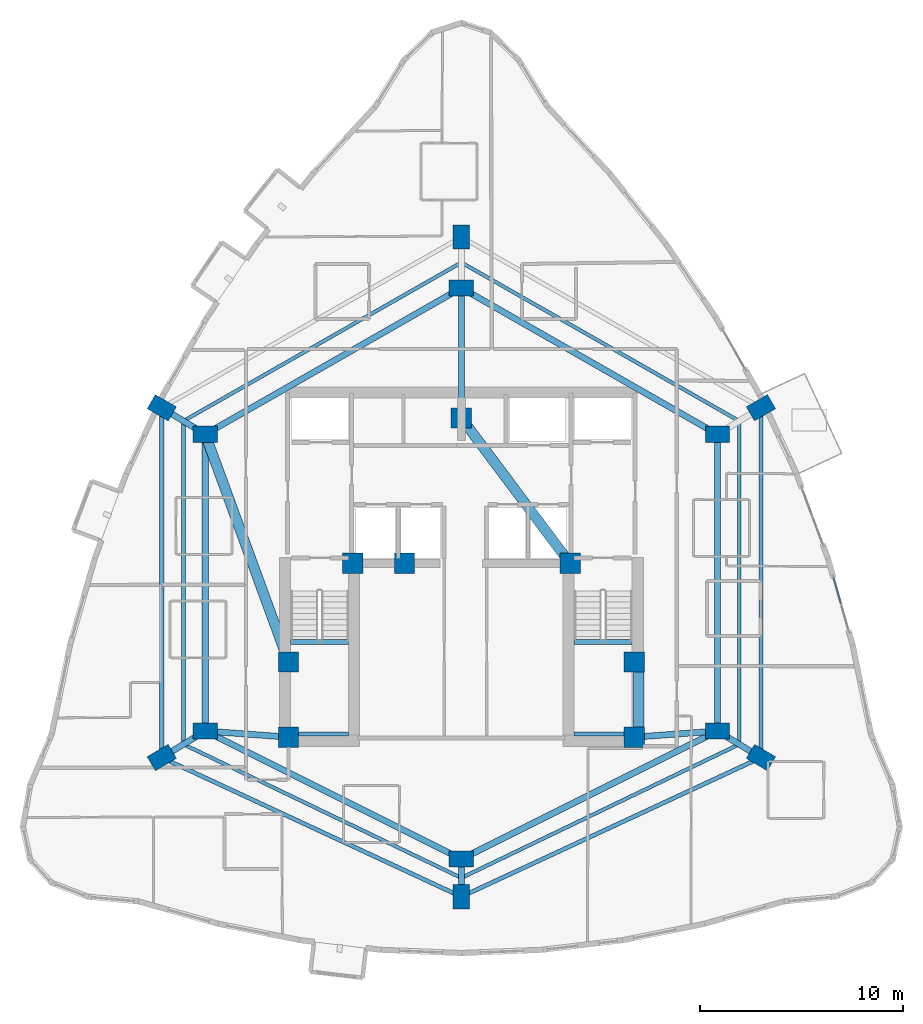
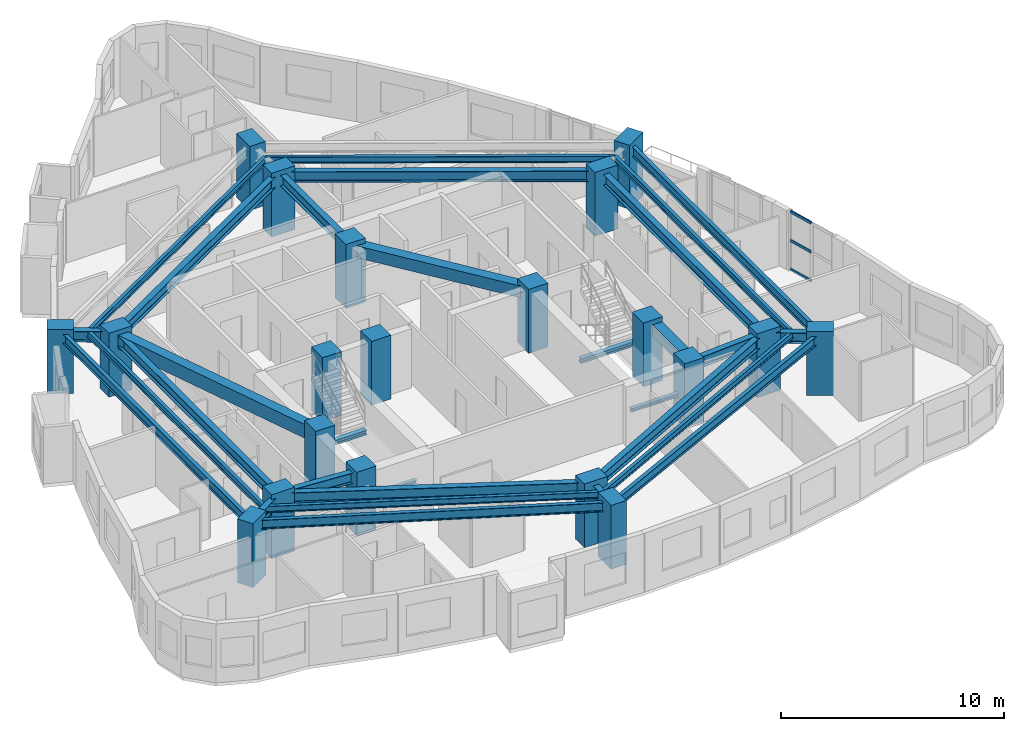
# One storey, part 1 of 14: 30 beams, 20 columns, 3 members, 1 element without a shape of its own.
"""IFC4 building model written with IfcOpenShell, lengths in metres."""

from ifc_helpers import new_model, si_unit, direction, frame, origin, origin_2d, place, context, subcontext, project, spatial, rectangle, hollow_rectangle, i_section, extrude, material, layer, layer_set, material_profile, profile_set, type_object, element, aggregate, save


model = new_model("IFC4")

# Units and contexts
model_context = context("Model", 3, precision=1e-05, world=origin(), true_north=direction((0.0, 1.0)))
body_context = subcontext(model_context, "Body", "Model", "MODEL_VIEW")
ifc_project = project(units=[si_unit("LENGTHUNIT", "METRE"), si_unit("AREAUNIT", "SQUARE_METRE"), si_unit("VOLUMEUNIT", "CUBIC_METRE"), si_unit("PLANEANGLEUNIT", "RADIAN"), si_unit("MASSUNIT", "GRAM", prefix="KILO")], contexts=[model_context])

# Site, building, storey
site_placement = place(None, origin())
site = spatial("IfcSite", under=ifc_project, at=site_placement, CompositionType="ELEMENT")
building_placement = place(site_placement, origin())
building = spatial("IfcBuilding", under=site, at=building_placement, Name="Miruveldt Soraemaru", CompositionType="ELEMENT")
storey_placement = place(building_placement, frame((0.0, 0.0, 142.39990234375)))
storey = spatial("IfcBuildingStorey", under=building, at=storey_placement, Name="L39", CompositionType="ELEMENT", Elevation=142.39990234375)

# Columns
ifc_material_1 = material(Name="Concrete C60/75 (60 MPa)", Category="concrete")
ifc_material_profile_1 = material_profile(ifc_material_1, rectangle(XDim=1.0, YDim=1.0, at=origin_2d()), Name="Concrete C60/75 (60 MPa)", Category="concrete")
ifc_profile_set_1 = profile_set([ifc_material_profile_1], Name="Concrete C60/75 (60 MPa)")
column_type_1 = type_object("IfcColumnType", Name="COL-CORE-1000", PredefinedType="COLUMN", material=ifc_profile_set_1)
for number, where, z_axis, x_axis, name in (
    (1, (35.5, 35.5, 0.0), (0.0, 0.0, 1.0), (1.0, 0.0, 0.0), "L39 Structural Column CC1"),
    (2, (38.64990234375, 44.050048828125, 0.0), (0.0, 0.0, 1.0), (1.0, 0.0, 0.0), "L39 Structural Column CC2"),
    (3, (52.5, 35.5, 0.0), (0.0, 0.0, 1.0), (1.0, 0.0, 0.0), "L39 Structural Column CC3"),
    (4, (52.5, 39.199951171875, 0.0), (0.0, 0.0, 1.0), (1.0, 0.0, 0.0), "L39 Structural Column CC4"),
    (5, (49.35009765625, 44.050048828125, 0.0), (0.0, 0.0, 1.0), (1.0, 0.0, 0.0), "L39 Structural Column CC5"),
    (6, (44.0, 51.199951171875, 0.0), (0.0, 0.0, 1.0), (1.0, 0.0, 0.0), "L39 Structural Column CC6"),
    (7, (35.5, 39.199951171875, 0.0), (0.0, 0.0, 1.0), (1.0, 0.0, 0.0), "L39 Structural Column CC7"),
    (8, (41.199951171875, 44.050048828125, 0.0), (0.0, 0.0, 1.0), (1.0, 0.0, 0.0), "L39 Structural Column CC8"),
):
    element("IfcColumn", number, at=place(storey_placement, frame(where, z_axis=z_axis, x_axis=x_axis)), inside=storey, type_object=column_type_1, Name=name, PredefinedType="COLUMN", context=body_context, shape_type="SweptSolid", body=[
        extrude(rectangle(XDim=1.0, YDim=1.0, at=origin_2d()), origin(), (0.0, 0.0, 1.0), 3.5),
    ])
ifc_material_2 = material(Name="Concrete C70/85 (70 MPa)", Category="concrete")
ifc_material_profile_2 = material_profile(ifc_material_2, rectangle(XDim=1.199951171875, YDim=0.800048828125, at=origin_2d()), Name="Concrete C70/85 (70 MPa)", Category="concrete")
ifc_profile_set_2 = profile_set([ifc_material_profile_2], Name="Concrete C70/85 (70 MPa)")
column_type_2 = type_object("IfcColumnType", Name="COL-TW-Z2", PredefinedType="COLUMN", material=ifc_profile_set_2)
for number, where, z_axis, x_axis, name in (
    (9, (44.0, 57.60009765625, 0.0), (0.0, 0.0, 1.0), (1.0, 0.0, 0.0), "L39 Structural Column IR01"),
    (10, (56.60009765625, 50.39990234375, 0.0), (0.0, 0.0, 1.0), (1.0, 0.0, 0.0), "L39 Structural Column IR02"),
    (11, (56.60009765625, 35.800048828125, 0.0), (0.0, 0.0, 1.0), (1.0, 0.0, 0.0), "L39 Structural Column IR03"),
    (12, (44.0, 29.5, 0.0), (0.0, 0.0, 1.0), (1.0, 0.0, 0.0), "L39 Structural Column IR04"),
    (13, (31.39990234375, 35.800048828125, 0.0), (0.0, 0.0, 1.0), (1.0, 0.0, 0.0), "L39 Structural Column IR05"),
    (14, (31.39990234375, 50.39990234375, 0.0), (0.0, 0.0, 1.0), (1.0, 0.0, 0.0), "L39 Structural Column IR06"),
    (15, (44.0, 60.10595703125, 0.0), (0.0, 0.0, 1.0), (0.0, 1.0, 0.0), "L39 Structural Column Z2P01"),
    (16, (58.739990234375, 51.705078125, 0.0), (0.0, 0.0, 1.0), (0.866025403784, 0.5, 0.0), "L39 Structural Column Z2P02"),
    (17, (58.739990234375, 34.4951171875, 0.0), (0.0, 0.0, 1.0), (-0.860742027004, 0.50904141575, 0.0), "L39 Structural Column Z2P03"),
    (18, (44.0, 27.64697265625, 0.0), (0.0, 0.0, 1.0), (0.0, 1.0, 0.0), "L39 Structural Column Z2P04"),
    (19, (29.260009765625, 34.4951171875, 0.0), (0.0, 0.0, 1.0), (0.860742027004, 0.50904141575, 0.0), "L39 Structural Column Z2P05"),
    (20, (29.260009765625, 51.705078125, 0.0), (0.0, 0.0, 1.0), (-0.866025403784, 0.5, 0.0), "L39 Structural Column Z2P06"),
):
    element("IfcColumn", number, at=place(storey_placement, frame(where, z_axis=z_axis, x_axis=x_axis)), inside=storey, type_object=column_type_2, Name=name, PredefinedType="COLUMN", context=body_context, shape_type="SweptSolid", body=[
        extrude(rectangle(XDim=1.199951171875, YDim=0.800048828125, at=origin_2d()), origin(), (0.0, 0.0, 1.0), 3.5),
    ])

# Beams
ifc_material_3 = material(Name="Concrete C50/60 (50 MPa)", Category="concrete")
ifc_material_profile_3 = material_profile(ifc_material_3, rectangle(XDim=0.5, YDim=0.64990234375, at=origin_2d()), Name="Concrete C50/60 (50 MPa)", Category="concrete")
ifc_profile_set_3 = profile_set([ifc_material_profile_3], Name="Concrete C50/60 (50 MPa)")
beam_type_1 = type_object("IfcBeamType", Name="BM-RC-500x650", PredefinedType="BEAM", material=ifc_profile_set_3)
beam_1_placement = place(storey_placement, frame((52.72998046875, 35.5, 2.91015625), z_axis=(0.0, 1.0, 0.0), x_axis=(-1.0, 0.0, 0.0)))
element("IfcBeam", 21, at=beam_1_placement, inside=storey, type_object=beam_type_1, Name="L39 Core Tie Beam 3", PredefinedType="BEAM", context=body_context, shape_type="SweptSolid", body=[
    extrude(rectangle(XDim=0.5, YDim=0.64990234375, at=origin_2d()), origin(), (0.0, 0.0, 1.0), 3.699951171875),
])
beam_2_placement = place(storey_placement, frame((49.35009765625, 44.050048828125, 2.91015625), z_axis=(-0.599116023999, 0.800662219533, 0.0), x_axis=(-0.800662219533, -0.599116023999, 0.0)))
element("IfcBeam", 22, at=beam_2_placement, inside=storey, type_object=beam_type_1, Name="L39 Core Tie Beam 5", PredefinedType="BEAM", context=body_context, shape_type="SweptSolid", body=[
    extrude(rectangle(XDim=0.5, YDim=0.64990234375, at=origin_2d()), origin(), (0.0, 0.0, 1.0), 8.929931640625),
])
ifc_material_4 = material(Name="Concrete C40/50 (40 MPa)", Category="concrete")
ifc_material_profile_4 = material_profile(ifc_material_4, rectangle(XDim=0.5, YDim=0.75, at=origin_2d()), Name="Concrete C40/50 (40 MPa)", Category="concrete")
ifc_profile_set_4 = profile_set([ifc_material_profile_4], Name="Concrete C40/50 (40 MPa)")
beam_type_2 = type_object("IfcBeamType", Name="BM-RC-500x750", PredefinedType="LINTEL", material=ifc_profile_set_4)
beam_3_placement = place(storey_placement, frame((31.39990234375, 50.39990234375, 2.860107421875), z_axis=(0.343770424598, -0.939053723262, 0.0), x_axis=(0.939053723262, 0.343770424598, 0.0)))
element("IfcBeam", 23, at=beam_3_placement, inside=storey, type_object=beam_type_2, Name="L39 West Lobby Lintel", PredefinedType="LINTEL", context=body_context, shape_type="SweptSolid", body=[
    extrude(rectangle(XDim=0.5, YDim=0.75, at=origin_2d()), origin(), (0.0, 0.0, 1.0), 11.9267578125),
])
ifc_material_5 = material(Name="Steel SM355 (355 MPa)", Category="steel")
ifc_material_profile_5 = material_profile(ifc_material_5, i_section(OverallWidth=0.175048828125, OverallDepth=0.35009765625, WebThickness=0.007080078125, FlangeThickness=0.010986328125, FilletRadius=0.013916015625, at=origin_2d()), Name="Steel SM355 (355 MPa)", Category="steel")
ifc_profile_set_5 = profile_set([ifc_material_profile_5], Name="Steel SM355 (355 MPa)")
beam_type_3 = type_object("IfcBeamType", Name="BM-ST-H350", PredefinedType="JOIST", material=ifc_profile_set_5)
beam_4_placement = place(storey_placement, frame((44.0, 58.85302734375, 3.06005859375), z_axis=(0.868539859756, -0.495619321672, 0.0), x_axis=(0.495619321672, 0.868539859756, 0.0)))
element("IfcBeam", 24, at=beam_4_placement, inside=storey, type_object=beam_type_3, Name="L39 Outer Bay Floor Joist 1", PredefinedType="JOIST", context=body_context, shape_type="SweptSolid", body=[
    extrude(i_section(OverallWidth=0.175048828125, OverallDepth=0.35009765625, WebThickness=0.007080078125, FlangeThickness=0.010986328125, FilletRadius=0.013916015625, at=origin_2d()), origin(), (0.0, 0.0, 1.0), 15.739013671875),
])
beam_5_placement = place(storey_placement, frame((57.669921875, 51.052490234375, 3.06005859375), z_axis=(0.0, -1.0, 0.0), x_axis=(1.0, 0.0, 0.0)))
element("IfcBeam", 25, at=beam_5_placement, inside=storey, type_object=beam_type_3, Name="L39 Outer Bay Floor Joist 2", PredefinedType="JOIST", context=body_context, shape_type="SweptSolid", body=[
    extrude(i_section(OverallWidth=0.175048828125, OverallDepth=0.35009765625, WebThickness=0.007080078125, FlangeThickness=0.010986328125, FilletRadius=0.013916015625, at=origin_2d()), origin(), (0.0, 0.0, 1.0), 15.905029296875),
])
for number, where, z_axis, x_axis, name in (
    (26, (57.669921875, 35.1474609375, 3.06005859375), (-0.901203586802, -0.433396002676, 0.0), (0.433396002676, -0.901203586802, 0.0), "L39 Outer Bay Floor Joist 3"),
    (27, (44.0, 28.573486328125, 3.06005859375), (-0.901203586802, 0.433396002676, 0.0), (-0.433396002676, -0.901203586802, 0.0), "L39 Outer Bay Floor Joist 4"),
):
    element("IfcBeam", number, at=place(storey_placement, frame(where, z_axis=z_axis, x_axis=x_axis)), inside=storey, type_object=beam_type_3, Name=name, PredefinedType="JOIST", context=body_context, shape_type="SweptSolid", body=[
        extrude(i_section(OverallWidth=0.175048828125, OverallDepth=0.35009765625, WebThickness=0.007080078125, FlangeThickness=0.010986328125, FilletRadius=0.013916015625, at=origin_2d()), origin(), (0.0, 0.0, 1.0), 15.16845703125),
    ])
beam_6_placement = place(storey_placement, frame((30.330078125, 35.1474609375, 3.06005859375), z_axis=(0.0, 1.0, 0.0), x_axis=(-1.0, 0.0, 0.0)))
element("IfcBeam", 28, at=beam_6_placement, inside=storey, type_object=beam_type_3, Name="L39 Outer Bay Floor Joist 5", PredefinedType="JOIST", context=body_context, shape_type="SweptSolid", body=[
    extrude(i_section(OverallWidth=0.175048828125, OverallDepth=0.35009765625, WebThickness=0.007080078125, FlangeThickness=0.010986328125, FilletRadius=0.013916015625, at=origin_2d()), origin(), (0.0, 0.0, 1.0), 15.905029296875),
])
beam_7_placement = place(storey_placement, frame((30.330078125, 51.052490234375, 3.06005859375), z_axis=(0.868539859756, 0.495619321672, 0.0), x_axis=(-0.495619321672, 0.868539859756, 0.0)))
element("IfcBeam", 29, at=beam_7_placement, inside=storey, type_object=beam_type_3, Name="L39 Outer Bay Floor Joist 6", PredefinedType="JOIST", context=body_context, shape_type="SweptSolid", body=[
    extrude(i_section(OverallWidth=0.175048828125, OverallDepth=0.35009765625, WebThickness=0.007080078125, FlangeThickness=0.010986328125, FilletRadius=0.013916015625, at=origin_2d()), origin(), (0.0, 0.0, 1.0), 15.739013671875),
])
ifc_material_profile_6 = material_profile(ifc_material_5, i_section(OverallWidth=0.199951171875, OverallDepth=0.5, WebThickness=0.010009765625, FlangeThickness=0.01611328125, FilletRadius=0.02001953125, at=origin_2d()), Name="Steel SM355 (355 MPa)", Category="steel")
ifc_profile_set_6 = profile_set([ifc_material_profile_6], Name="Steel SM355 (355 MPa)")
beam_type_4 = type_object("IfcBeamType", Name="BM-ST-H500", PredefinedType="SPANDREL", material=ifc_profile_set_6)
beam_8_placement = place(storey_placement, frame((58.739990234375, 51.705078125, 2.985107421875), z_axis=(0.0, -1.0, 0.0), x_axis=(1.0, 0.0, 0.0)))
element("IfcBeam", 30, at=beam_8_placement, inside=storey, type_object=beam_type_4, Name="L39 Zone-2 Spandrel Beam 2", PredefinedType="SPANDREL", context=body_context, shape_type="SweptSolid", body=[
    extrude(i_section(OverallWidth=0.199951171875, OverallDepth=0.5, WebThickness=0.010009765625, FlangeThickness=0.01611328125, FilletRadius=0.02001953125, at=origin_2d()), origin(), (0.0, 0.0, 1.0), 17.2099609375),
])
for number, where, z_axis, x_axis, name in (
    (31, (58.739990234375, 34.4951171875, 2.985107421875), (-0.906901362829, -0.421342993414, 0.0), (0.421342993414, -0.906901362829, 0.0), "L39 Zone-2 Spandrel Beam 3"),
    (32, (44.0, 27.64697265625, 2.985107421875), (-0.906901362829, 0.421342993414, 0.0), (-0.421342993414, -0.906901362829, 0.0), "L39 Zone-2 Spandrel Beam 4"),
):
    element("IfcBeam", number, at=place(storey_placement, frame(where, z_axis=z_axis, x_axis=x_axis)), inside=storey, type_object=beam_type_4, Name=name, PredefinedType="SPANDREL", context=body_context, shape_type="SweptSolid", body=[
        extrude(i_section(OverallWidth=0.199951171875, OverallDepth=0.5, WebThickness=0.010009765625, FlangeThickness=0.01611328125, FilletRadius=0.02001953125, at=origin_2d()), origin(), (0.0, 0.0, 1.0), 16.253173828125),
    ])
beam_9_placement = place(storey_placement, frame((29.260009765625, 34.4951171875, 2.985107421875), z_axis=(0.0, 1.0, 0.0), x_axis=(-1.0, 0.0, 0.0)))
element("IfcBeam", 33, at=beam_9_placement, inside=storey, type_object=beam_type_4, Name="L39 Zone-2 Spandrel Beam 5", PredefinedType="SPANDREL", context=body_context, shape_type="SweptSolid", body=[
    extrude(i_section(OverallWidth=0.199951171875, OverallDepth=0.5, WebThickness=0.010009765625, FlangeThickness=0.01611328125, FilletRadius=0.02001953125, at=origin_2d()), origin(), (0.0, 0.0, 1.0), 17.2099609375),
])
ifc_material_profile_7 = material_profile(ifc_material_5, i_section(OverallWidth=0.300048828125, OverallDepth=0.587890625, WebThickness=0.011962890625, FlangeThickness=0.02001953125, FilletRadius=0.028076171875, at=origin_2d()), Name="Steel SM355 (355 MPa)", Category="steel")
ifc_profile_set_7 = profile_set([ifc_material_profile_7], Name="Steel SM355 (355 MPa)")
beam_type_5 = type_object("IfcBeamType", Name="BM-ST-H588", PredefinedType="BEAM", material=ifc_profile_set_7)
beam_10_placement = place(storey_placement, frame((44.0, 57.60009765625, 2.941162109375), z_axis=(0.868239001029, -0.496146185203, 0.0), x_axis=(0.496146185203, 0.868239001029, 0.0)))
element("IfcBeam", 34, at=beam_10_placement, inside=storey, type_object=beam_type_5, Name="L39 Inner Ring Girder 1", PredefinedType="BEAM", context=body_context, shape_type="SweptSolid", body=[
    extrude(i_section(OverallWidth=0.300048828125, OverallDepth=0.587890625, WebThickness=0.011962890625, FlangeThickness=0.02001953125, FilletRadius=0.028076171875, at=origin_2d()), origin(), (0.0, 0.0, 1.0), 14.51220703125),
])
beam_11_placement = place(storey_placement, frame((44.0, 51.199951171875, 2.941162109375), z_axis=(0.0, 1.0, 0.0), x_axis=(-1.0, 0.0, 0.0)))
element("IfcBeam", 35, at=beam_11_placement, inside=storey, type_object=beam_type_5, Name="L39 Core-to-Inner Radial Girder 1", PredefinedType="BEAM", context=body_context, shape_type="SweptSolid", body=[
    extrude(i_section(OverallWidth=0.300048828125, OverallDepth=0.587890625, WebThickness=0.011962890625, FlangeThickness=0.02001953125, FilletRadius=0.028076171875, at=origin_2d()), origin(), (0.0, 0.0, 1.0), 6.400146484375),
])
beam_12_placement = place(storey_placement, frame((56.60009765625, 50.39990234375, 2.941162109375), z_axis=(0.0, -1.0, 0.0), x_axis=(1.0, 0.0, 0.0)))
element("IfcBeam", 36, at=beam_12_placement, inside=storey, type_object=beam_type_5, Name="L39 Inner Ring Girder 2", PredefinedType="BEAM", context=body_context, shape_type="SweptSolid", body=[
    extrude(i_section(OverallWidth=0.300048828125, OverallDepth=0.587890625, WebThickness=0.011962890625, FlangeThickness=0.02001953125, FilletRadius=0.028076171875, at=origin_2d()), origin(), (0.0, 0.0, 1.0), 14.599853515625),
])
beam_13_placement = place(storey_placement, frame((56.60009765625, 35.800048828125, 2.941162109375), z_axis=(-0.894427191, -0.4472135955, 0.0), x_axis=(0.4472135955, -0.894427191, 0.0)))
element("IfcBeam", 37, at=beam_13_placement, inside=storey, type_object=beam_type_5, Name="L39 Inner Ring Girder 3", PredefinedType="BEAM", context=body_context, shape_type="SweptSolid", body=[
    extrude(i_section(OverallWidth=0.300048828125, OverallDepth=0.587890625, WebThickness=0.011962890625, FlangeThickness=0.02001953125, FilletRadius=0.028076171875, at=origin_2d()), origin(), (0.0, 0.0, 1.0), 14.08740234375),
])
beam_14_placement = place(storey_placement, frame((52.5, 35.5, 2.941162109375), z_axis=(0.997332985605, 0.072985723431, 0.0), x_axis=(-0.072985723431, 0.997332985605, 0.0)))
element("IfcBeam", 38, at=beam_14_placement, inside=storey, type_object=beam_type_5, Name="L39 Core-to-Inner Radial Girder 3", PredefinedType="BEAM", context=body_context, shape_type="SweptSolid", body=[
    extrude(i_section(OverallWidth=0.300048828125, OverallDepth=0.587890625, WebThickness=0.011962890625, FlangeThickness=0.02001953125, FilletRadius=0.028076171875, at=origin_2d()), origin(), (0.0, 0.0, 1.0), 4.111083984375),
])
beam_15_placement = place(storey_placement, frame((44.0, 29.5, 2.941162109375), z_axis=(-0.894427191, 0.4472135955, 0.0), x_axis=(-0.4472135955, -0.894427191, 0.0)))
element("IfcBeam", 39, at=beam_15_placement, inside=storey, type_object=beam_type_5, Name="L39 Inner Ring Girder 4", PredefinedType="BEAM", context=body_context, shape_type="SweptSolid", body=[
    extrude(i_section(OverallWidth=0.300048828125, OverallDepth=0.587890625, WebThickness=0.011962890625, FlangeThickness=0.02001953125, FilletRadius=0.028076171875, at=origin_2d()), origin(), (0.0, 0.0, 1.0), 14.08740234375),
])
beam_16_placement = place(storey_placement, frame((31.39990234375, 35.800048828125, 2.941162109375), z_axis=(0.0, 1.0, 0.0), x_axis=(-1.0, 0.0, 0.0)))
element("IfcBeam", 40, at=beam_16_placement, inside=storey, type_object=beam_type_5, Name="L39 Inner Ring Girder 5", PredefinedType="BEAM", context=body_context, shape_type="SweptSolid", body=[
    extrude(i_section(OverallWidth=0.300048828125, OverallDepth=0.587890625, WebThickness=0.011962890625, FlangeThickness=0.02001953125, FilletRadius=0.028076171875, at=origin_2d()), origin(), (0.0, 0.0, 1.0), 14.599853515625),
])
beam_17_placement = place(storey_placement, frame((35.5, 35.5, 2.941162109375), z_axis=(-0.997332985605, 0.072985723431, 0.0), x_axis=(-0.072985723431, -0.997332985605, 0.0)))
element("IfcBeam", 41, at=beam_17_placement, inside=storey, type_object=beam_type_5, Name="L39 Core-to-Inner Radial Girder 5", PredefinedType="BEAM", context=body_context, shape_type="SweptSolid", body=[
    extrude(i_section(OverallWidth=0.300048828125, OverallDepth=0.587890625, WebThickness=0.011962890625, FlangeThickness=0.02001953125, FilletRadius=0.028076171875, at=origin_2d()), origin(), (0.0, 0.0, 1.0), 4.111083984375),
])
beam_18_placement = place(storey_placement, frame((31.39990234375, 50.39990234375, 2.941162109375), z_axis=(0.868239001029, 0.496146185203, 0.0), x_axis=(-0.496146185203, 0.868239001029, 0.0)))
element("IfcBeam", 42, at=beam_18_placement, inside=storey, type_object=beam_type_5, Name="L39 Inner Ring Girder 6", PredefinedType="BEAM", context=body_context, shape_type="SweptSolid", body=[
    extrude(i_section(OverallWidth=0.300048828125, OverallDepth=0.587890625, WebThickness=0.011962890625, FlangeThickness=0.02001953125, FilletRadius=0.028076171875, at=origin_2d()), origin(), (0.0, 0.0, 1.0), 14.51220703125),
])
beam_19_placement = place(storey_placement, frame((56.60009765625, 35.800048828125, 2.941162109375), z_axis=(0.853775054686, -0.5206420613, 0.0), x_axis=(0.5206420613, 0.853775054686, 0.0)))
element("IfcBeam", 43, at=beam_19_placement, inside=storey, type_object=beam_type_5, Name="L39 Zone-2 Radial Girder 3", PredefinedType="BEAM", context=body_context, shape_type="SweptSolid", body=[
    extrude(i_section(OverallWidth=0.300048828125, OverallDepth=0.587890625, WebThickness=0.011962890625, FlangeThickness=0.02001953125, FilletRadius=0.028076171875, at=origin_2d()), origin(), (0.0, 0.0, 1.0), 2.50634765625),
])
beam_20_placement = place(storey_placement, frame((44.0, 29.5, 2.941162109375), z_axis=(0.0, -1.0, 0.0), x_axis=(1.0, 0.0, 0.0)))
element("IfcBeam", 44, at=beam_20_placement, inside=storey, type_object=beam_type_5, Name="L39 Zone-2 Radial Girder 4", PredefinedType="BEAM", context=body_context, shape_type="SweptSolid", body=[
    extrude(i_section(OverallWidth=0.300048828125, OverallDepth=0.587890625, WebThickness=0.011962890625, FlangeThickness=0.02001953125, FilletRadius=0.028076171875, at=origin_2d()), origin(), (0.0, 0.0, 1.0), 1.85302734375),
])
beam_21_placement = place(storey_placement, frame((31.39990234375, 35.800048828125, 2.941162109375), z_axis=(-0.853775054686, -0.5206420613, 0.0), x_axis=(0.5206420613, -0.853775054686, 0.0)))
element("IfcBeam", 45, at=beam_21_placement, inside=storey, type_object=beam_type_5, Name="L39 Zone-2 Radial Girder 5", PredefinedType="BEAM", context=body_context, shape_type="SweptSolid", body=[
    extrude(i_section(OverallWidth=0.300048828125, OverallDepth=0.587890625, WebThickness=0.011962890625, FlangeThickness=0.02001953125, FilletRadius=0.028076171875, at=origin_2d()), origin(), (0.0, 0.0, 1.0), 2.50634765625),
])
beam_22_placement = place(storey_placement, frame((31.39990234375, 50.39990234375, 2.941162109375), z_axis=(-0.85373175529, 0.520713059188, 0.0), x_axis=(-0.520713059188, -0.85373175529, 0.0)))
element("IfcBeam", 46, at=beam_22_placement, inside=storey, type_object=beam_type_5, Name="L39 Zone-2 Radial Girder 6", PredefinedType="BEAM", context=body_context, shape_type="SweptSolid", body=[
    extrude(i_section(OverallWidth=0.300048828125, OverallDepth=0.587890625, WebThickness=0.011962890625, FlangeThickness=0.02001953125, FilletRadius=0.028076171875, at=origin_2d()), origin(), (0.0, 0.0, 1.0), 2.506591796875),
])
ifc_material_profile_8 = material_profile(ifc_material_5, i_section(OverallWidth=0.199951171875, OverallDepth=0.199951171875, WebThickness=0.008056640625, FlangeThickness=0.011962890625, FilletRadius=0.012939453125, at=origin_2d()), Name="Steel SM355 (355 MPa)", Category="steel")
ifc_profile_set_8 = profile_set([ifc_material_profile_8], Name="Steel SM355 (355 MPa)")
beam_type_6 = type_object("IfcBeamType", Name="BM-ST-LND200", PredefinedType="BEAM", material=ifc_profile_set_8)
for number, where, z_axis, x_axis, name in (
    (47, (35.60009765625, 35.64990234375, 1.4501953125), (1.0, 0.0, 0.0), (0.0, 1.0, 0.0), "L39 ST1 Landing End Beam 1B"),
    (48, (49.550048828125, 35.64990234375, 1.4501953125), (1.0, 0.0, 0.0), (0.0, 1.0, 0.0), "L39 ST2 Landing End Beam 1B"),
):
    element("IfcBeam", number, at=place(storey_placement, frame(where, z_axis=z_axis, x_axis=x_axis)), inside=storey, type_object=beam_type_6, Name=name, PredefinedType="BEAM", context=body_context, shape_type="SweptSolid", body=[
        extrude(i_section(OverallWidth=0.199951171875, OverallDepth=0.199951171875, WebThickness=0.008056640625, FlangeThickness=0.011962890625, FilletRadius=0.012939453125, at=origin_2d()), origin(), (0.0, 0.0, 1.0), 2.849853515625),
    ])
ifc_material_profile_9 = material_profile(ifc_material_5, i_section(OverallWidth=0.25, OverallDepth=0.25, WebThickness=0.009033203125, FlangeThickness=0.013916015625, FilletRadius=0.01611328125, at=origin_2d()), Name="Steel SM355 (355 MPa)", Category="steel")
ifc_profile_set_9 = profile_set([ifc_material_profile_9], Name="Steel SM355 (355 MPa)")
beam_type_7 = type_object("IfcBeamType", Name="BM-ST-LND250", PredefinedType="BEAM", material=ifc_profile_set_9)
for number, where, z_axis, x_axis, name in (
    (49, (35.60009765625, 40.179931640625, 1.425048828125), (1.0, 0.0, 0.0), (0.0, 1.0, 0.0), "L39 ST1 Landing Support Beam 1A"),
    (50, (49.550048828125, 40.179931640625, 1.425048828125), (1.0, 0.0, 0.0), (0.0, 1.0, 0.0), "L39 ST2 Landing Support Beam 1A"),
):
    element("IfcBeam", number, at=place(storey_placement, frame(where, z_axis=z_axis, x_axis=x_axis)), inside=storey, type_object=beam_type_7, Name=name, PredefinedType="BEAM", context=body_context, shape_type="SweptSolid", body=[
        extrude(i_section(OverallWidth=0.25, OverallDepth=0.25, WebThickness=0.009033203125, FlangeThickness=0.013916015625, FilletRadius=0.01611328125, at=origin_2d()), origin(), (0.0, 0.0, 1.0), 2.849853515625),
    ])

# Curtain wall, members
ifc_material_6 = material(Name="Anodised aluminium EN AW-6063 T6", Category="aluminium")
ifc_layer = layer(ifc_material_6, 0.199951171875, Name="Anodised aluminium EN AW-6063 T6", Category="aluminium")
ifc_layer_set = layer_set([ifc_layer], Name="Anodised aluminium EN AW-6063 T6")
curtain_wall_type = type_object("IfcCurtainWallType", Name="CW-SYS-3", PredefinedType="USERDEFINED", material=ifc_layer_set)
curtain_wall_placement = place(storey_placement, origin())
curtain_wall = element("IfcCurtainWall", 51, at=curtain_wall_placement, inside=storey, type_object=curtain_wall_type, Name="L39 Curtain Wall Bay 36", ObjectType="UNITISED GLAZING", PredefinedType="USERDEFINED")
ifc_material_profile_10 = material_profile(ifc_material_6, hollow_rectangle(XDim=0.070068359375, YDim=0.14990234375, WallThickness=0.00390625, at=origin_2d()), Name="Anodised aluminium EN AW-6063 T6", Category="aluminium")
ifc_profile_set_10 = profile_set([ifc_material_profile_10], Name="Anodised aluminium EN AW-6063 T6")
member_type = type_object("IfcMemberType", Name="CWT-3", PredefinedType="USERDEFINED", material=ifc_profile_set_10)
member_1_placement = place(storey_placement, frame((62.67529296875, 42.082763671875, 0.03515625), z_axis=(-0.274968844836, 0.961453136856, 0.0), x_axis=(-0.961453136856, -0.274968844836, 0.0)))
member_1 = element("IfcMember", 52, at=member_1_placement, type_object=member_type, Name="CW-3 transom 2.1", ObjectType="TRANSOM", PredefinedType="USERDEFINED", context=body_context, shape_type="SweptSolid", body=[
    extrude(hollow_rectangle(XDim=0.070068359375, YDim=0.14990234375, WallThickness=0.00390625, at=origin_2d()), origin(), (0.0, 0.0, 1.0), 1.3017578125),
])
member_2_placement = place(storey_placement, frame((62.67529296875, 42.082763671875, 1.61767578125), z_axis=(-0.274968844836, 0.961453136856, 0.0), x_axis=(-0.961453136856, -0.274968844836, 0.0)))
member_2 = element("IfcMember", 53, at=member_2_placement, type_object=member_type, Name="CW-3 transom 2.2", ObjectType="TRANSOM", PredefinedType="USERDEFINED", context=body_context, shape_type="SweptSolid", body=[
    extrude(hollow_rectangle(XDim=0.070068359375, YDim=0.14990234375, WallThickness=0.00390625, at=origin_2d()), origin(), (0.0, 0.0, 1.0), 1.3017578125),
])
member_3_placement = place(storey_placement, frame((62.67529296875, 42.082763671875, 3.2001953125), z_axis=(-0.274968844836, 0.961453136856, 0.0), x_axis=(-0.961453136856, -0.274968844836, 0.0)))
member_3 = element("IfcMember", 54, at=member_3_placement, type_object=member_type, Name="CW-3 transom 2.3", ObjectType="TRANSOM", PredefinedType="USERDEFINED", context=body_context, shape_type="SweptSolid", body=[
    extrude(hollow_rectangle(XDim=0.070068359375, YDim=0.14990234375, WallThickness=0.00390625, at=origin_2d()), origin(), (0.0, 0.0, 1.0), 1.3017578125),
])
aggregate(curtain_wall, [member_1, member_2, member_3])

save(model, "model.ifc")
